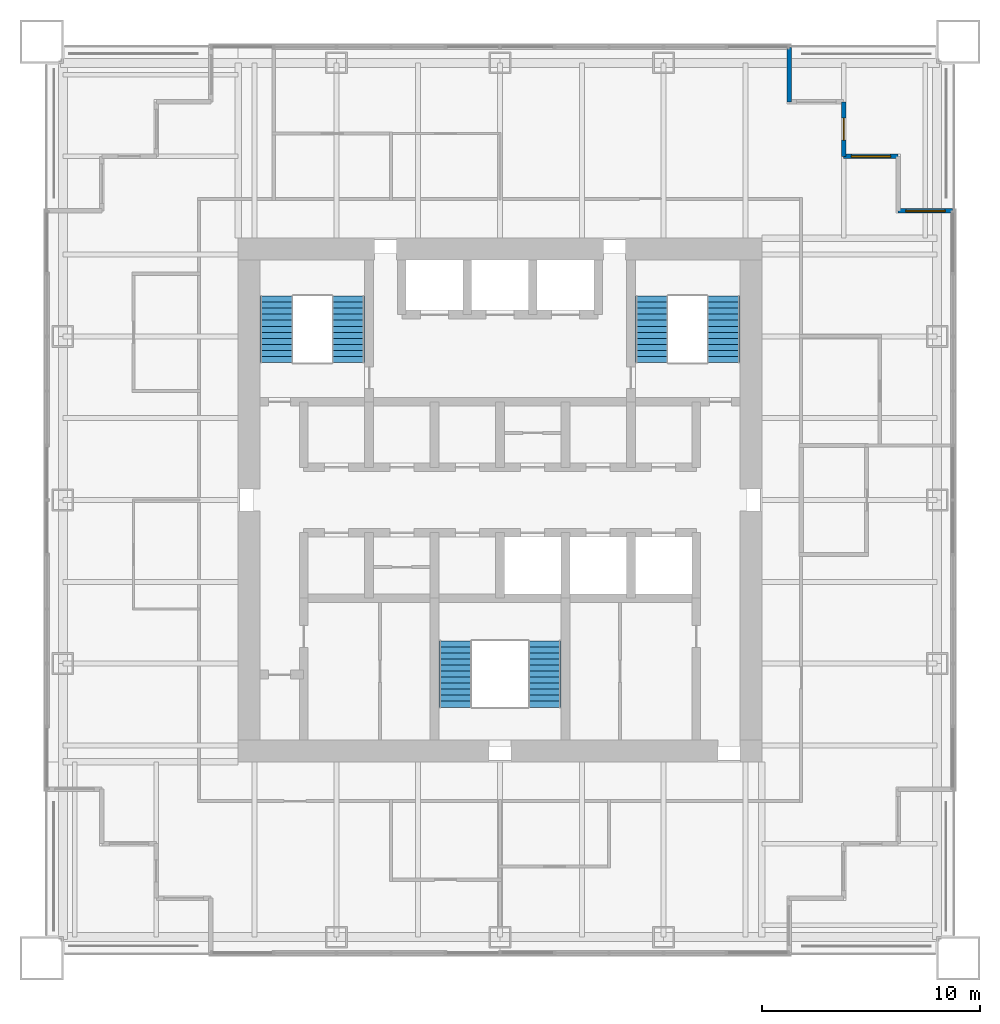
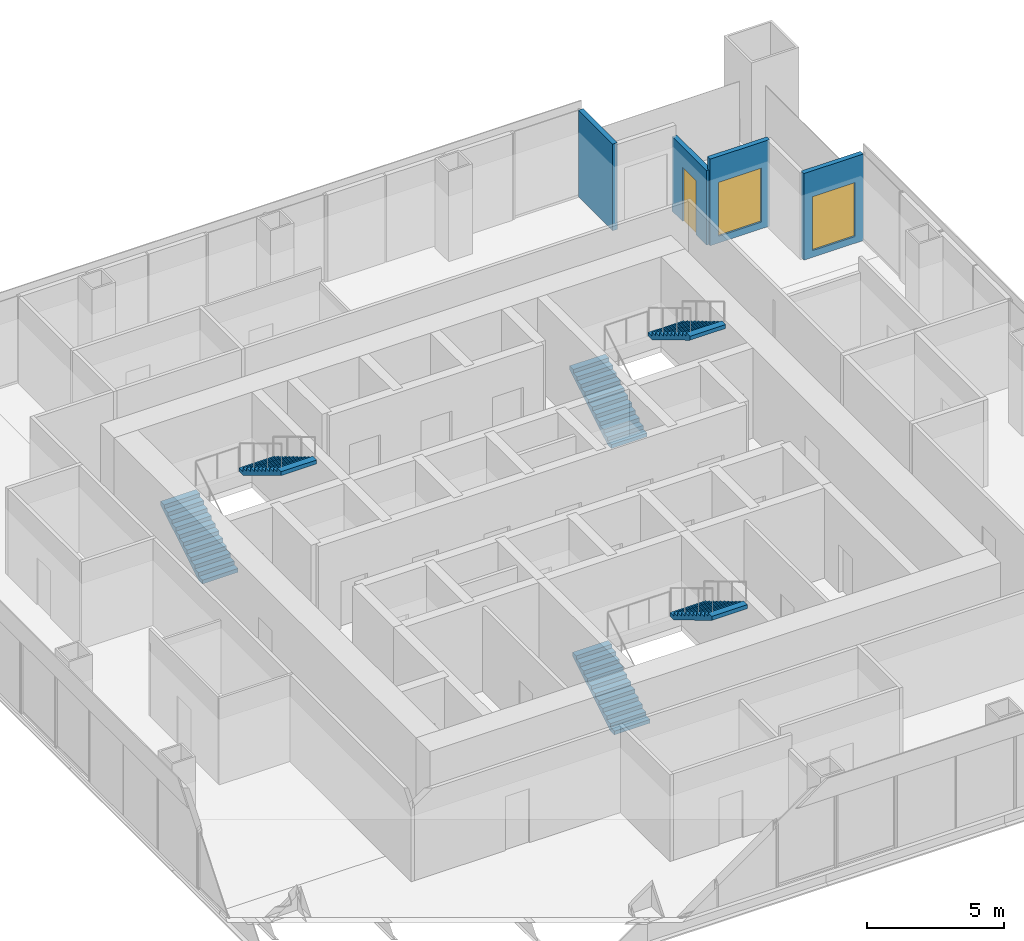
# One storey, part 12 of 14: 6 stair flights, 4 walls, 2 windows, 1 door, 3 openings, 3 elements without a shape of their own.
"""IFC4 building model written with IfcOpenShell, lengths in metres."""

from ifc_helpers import new_model, si_unit, direction, frame, frame_2d, origin, place, context, subcontext, project, spatial, polyline, rectangle, outline, extrude, material, layer, layer_set, type_object, element, fill, aggregate, save


model = new_model("IFC4")

# Units and contexts
model_context = context("Model", 3, precision=1e-05, world=origin(), true_north=direction((0.0, 1.0)))
body_context = subcontext(model_context, "Body", "Model", "MODEL_VIEW")
ifc_project = project(units=[si_unit("LENGTHUNIT", "METRE"), si_unit("AREAUNIT", "SQUARE_METRE"), si_unit("VOLUMEUNIT", "CUBIC_METRE"), si_unit("PLANEANGLEUNIT", "RADIAN"), si_unit("MASSUNIT", "GRAM", prefix="KILO")], contexts=[model_context])

# Site, building, storey
site_placement = place(None, origin())
site = spatial("IfcSite", under=ifc_project, at=site_placement, CompositionType="ELEMENT")
building_placement = place(site_placement, origin())
building = spatial("IfcBuilding", under=site, at=building_placement, Name="Tarangal Relay Tower", CompositionType="ELEMENT")
storey_placement = place(building_placement, frame((0.0, 0.0, 271.89990234375)))
storey = spatial("IfcBuildingStorey", under=building, at=storey_placement, Name="L59", CompositionType="ELEMENT", Elevation=271.89990234375)

# Wall
ifc_material_1 = material(Name="Black metal clad insulated wall", Category="steel")
ifc_layer = layer(ifc_material_1, 0.199951171875)
ifc_layer_set = layer_set([ifc_layer], Name="Corner wall metal clad 200")
wall_type = type_object("IfcWallType", Name="Corner wall metal clad 200", PredefinedType="SOLIDWALL", material=ifc_layer_set)
wall_1_placement = place(storey_placement, frame((13.25, 20.75, 0.0), z_axis=(0.0, 0.0, 1.0), x_axis=(0.0, -1.0, 0.0)))
element("IfcWall", 1, at=wall_1_placement, inside=storey, type_object=wall_type, Name="Facade wall N facade L59", PredefinedType="SOLIDWALL", context=body_context, shape_type="SweptSolid", body=[
    extrude(rectangle(XDim=2.5, YDim=0.199951171875, at=frame_2d((1.25, 0.0))), origin(), (0.0, 0.0, 1.0), 3.85009765625),
])

# Wall, opening, door
wall_2_placement = place(storey_placement, frame((15.75, 18.25, 0.0), z_axis=(0.0, 0.0, 1.0), x_axis=(0.0, -1.0, 0.0)))
wall_2 = element("IfcWall", 2, at=wall_2_placement, inside=storey, type_object=wall_type, Name="Facade wall N facade L59", PredefinedType="SOLIDWALL", context=body_context, shape_type="SweptSolid", body=[
    extrude(rectangle(XDim=2.5, YDim=0.199951171875, at=frame_2d((1.25, 0.0))), origin(), (0.0, 0.0, 1.0), 3.316650390625),
])
opening_1_placement = place(wall_2_placement, frame((0.75, 0.0, 0.0)))
opening_1 = element("IfcOpeningElement", 3, at=opening_1_placement, cuts=wall_2, Name="Opening TD1", PredefinedType="OPENING", context=body_context, shape_type="SweptSolid", body=[
    extrude(rectangle(XDim=1.0, YDim=2.39990234375, at=frame_2d((0.5, 1.199951171875))), frame((0.0, 0.10986328125, 0.0), z_axis=(0.0, -1.0, 0.0), x_axis=(1.0, 0.0, 0.0)), (0.0, 0.0, 1.0), 0.219970703125),
])
ifc_material_2 = material(Name="Aluminium glazed door", Category="aluminium")
door_type = type_object("IfcDoorType", Name="Terrace door 1000 x 2400", OperationType="SINGLE_SWING_RIGHT", PredefinedType="DOOR", material=ifc_material_2)
door_placement = place(opening_1_placement, origin())
door = element("IfcDoor", 4, at=door_placement, inside=storey, type_object=door_type, Name="Terrace door TD1 NE L59", OperationType="SINGLE_SWING_RIGHT", OverallHeight=2.39990234375, OverallWidth=1.0, PredefinedType="DOOR", context=body_context, shape_type="SweptSolid", body=[
    extrude(rectangle(XDim=1.0, YDim=2.39990234375, at=frame_2d((0.5, 1.199951171875))), frame((0.0, 0.02490234375, 0.0), z_axis=(0.0, -1.0, 0.0), x_axis=(1.0, 0.0, 0.0)), (0.0, 0.0, 1.0), 0.050048828125),
])
fill(opening_1, door)

# Wall, opening, window
wall_3_placement = place(storey_placement, frame((15.75, 15.75, 0.0), z_axis=(0.0, 0.0, 1.0), x_axis=(1.0, 0.0, 0.0)))
wall_3 = element("IfcWall", 5, at=wall_3_placement, inside=storey, type_object=wall_type, Name="Facade wall N facade L59", PredefinedType="SOLIDWALL", context=body_context, shape_type="SweptSolid", body=[
    extrude(rectangle(XDim=2.5, YDim=0.199951171875, at=frame_2d((1.25, 0.0))), origin(), (0.0, 0.0, 1.0), 3.85009765625),
])
opening_2_placement = place(wall_3_placement, frame((0.35009765625, 0.0, 0.300048828125)))
opening_2 = element("IfcOpeningElement", 6, at=opening_2_placement, cuts=wall_3, Name="Opening WN2", PredefinedType="OPENING", context=body_context, shape_type="SweptSolid", body=[
    extrude(rectangle(XDim=1.800048828125, YDim=2.39990234375, at=frame_2d((0.89990234375, 1.199951171875))), frame((0.0, 0.10986328125, 0.0), z_axis=(0.0, -1.0, 0.0), x_axis=(1.0, 0.0, 0.0)), (0.0, 0.0, 1.0), 0.219970703125),
])
ifc_material_3 = material(Name="Dark tinted double glazing in black aluminium frame", Category="aluminium")
window_type = type_object("IfcWindowType", Name="Corner window 1800 x 2400", PartitioningType="SINGLE_PANEL", PredefinedType="WINDOW", material=ifc_material_3)
window_1_placement = place(opening_2_placement, origin())
window_1 = element("IfcWindow", 7, at=window_1_placement, inside=storey, type_object=window_type, Name="Corner window WN2 N facade L59", OverallHeight=2.39990234375, OverallWidth=1.800048828125, PartitioningType="SINGLE_PANEL", PredefinedType="WINDOW", context=body_context, shape_type="SweptSolid", body=[
    extrude(rectangle(XDim=1.800048828125, YDim=2.39990234375, at=frame_2d((0.89990234375, 1.199951171875))), frame((0.0, 0.030029296875, 0.0), z_axis=(0.0, -1.0, 0.0), x_axis=(1.0, 0.0, 0.0)), (0.0, 0.0, 1.0), 0.06005859375),
])
fill(opening_2, window_1)

wall_4_placement = place(storey_placement, frame((18.25, 13.25, 0.0), z_axis=(0.0, 0.0, 1.0), x_axis=(1.0, 0.0, 0.0)))
wall_4 = element("IfcWall", 8, at=wall_4_placement, inside=storey, type_object=wall_type, Name="Facade wall N facade L59", PredefinedType="SOLIDWALL", context=body_context, shape_type="SweptSolid", body=[
    extrude(rectangle(XDim=2.5, YDim=0.199951171875, at=frame_2d((1.25, 0.0))), origin(), (0.0, 0.0, 1.0), 3.85009765625),
])
opening_3_placement = place(wall_4_placement, frame((0.35009765625, 0.0, 0.300048828125)))
opening_3 = element("IfcOpeningElement", 9, at=opening_3_placement, cuts=wall_4, Name="Opening WN2", PredefinedType="OPENING", context=body_context, shape_type="SweptSolid", body=[
    extrude(rectangle(XDim=1.800048828125, YDim=2.39990234375, at=frame_2d((0.89990234375, 1.199951171875))), frame((0.0, 0.10986328125, 0.0), z_axis=(0.0, -1.0, 0.0), x_axis=(1.0, 0.0, 0.0)), (0.0, 0.0, 1.0), 0.219970703125),
])
window_2_placement = place(opening_3_placement, origin())
window_2 = element("IfcWindow", 10, at=window_2_placement, inside=storey, type_object=window_type, Name="Corner window WN2 N facade L59", OverallHeight=2.39990234375, OverallWidth=1.800048828125, PartitioningType="SINGLE_PANEL", PredefinedType="WINDOW", context=body_context, shape_type="SweptSolid", body=[
    extrude(rectangle(XDim=1.800048828125, YDim=2.39990234375, at=frame_2d((0.89990234375, 1.199951171875))), frame((0.0, 0.030029296875, 0.0), z_axis=(0.0, -1.0, 0.0), x_axis=(1.0, 0.0, 0.0)), (0.0, 0.0, 1.0), 0.06005859375),
])
fill(opening_3, window_2)

# Stair, stair flights
ifc_material_4 = material(Name="Steel ASTM A992 stair flight", Category="steel")
stair_type = type_object("IfcStairType", Name="Core stair 1500", PredefinedType="HALF_TURN_STAIR", material=ifc_material_4)
stair_1_placement = place(storey_placement, origin())
stair_1 = element("IfcStair", 11, at=stair_1_placement, inside=storey, type_object=stair_type, Name="Stair ST-A L59", PredefinedType="HALF_TURN_STAIR")
stair_flight_type = type_object("IfcStairFlightType", Name="Steel stair flight 1500, 12 risers 167 x 277", PredefinedType="STRAIGHT", material=ifc_material_4)
stair_flight_1_placement = place(storey_placement, frame((-10.25, 6.300048828125, 0.0), z_axis=(0.0, 0.0, 1.0), x_axis=(0.0, 1.0, 0.0)))
stair_flight_1 = element("IfcStairFlight", 12, at=stair_flight_1_placement, type_object=stair_flight_type, Name="ST-A flight 1", NumberOfRisers=12, NumberOfTreads=11, PredefinedType="STRAIGHT", RiserHeight=0.166666667, TreadLength=0.277, context=body_context, shape_type="SweptSolid", body=[
    extrude(outline(polyline([(0.0, 0.0), (0.0, 0.166748046875), (0.277099609375, 0.166748046875), (0.277099609375, 0.333251953125), (0.553955078125, 0.333251953125), (0.553955078125, 0.5), (0.8310546875, 0.5), (0.8310546875, 0.666748046875), (1.10791015625, 0.666748046875), (1.10791015625, 0.833251953125), (1.385009765625, 0.833251953125), (1.385009765625, 1.0), (1.662109375, 1.0), (1.662109375, 1.166748046875), (1.93896484375, 1.166748046875), (1.93896484375, 1.333251953125), (2.216064453125, 1.333251953125), (2.216064453125, 1.5), (2.492919921875, 1.5), (2.492919921875, 1.666748046875), (2.77001953125, 1.666748046875), (2.77001953125, 1.833251953125), (3.047119140625, 1.833251953125), (3.047119140625, 2.0), (3.047119140625, 1.658447265625), (0.290771484375, 0.0), (0.0, 0.0)])), frame((0.0, 0.75, 0.0), z_axis=(0.0, -1.0, 0.0), x_axis=(1.0, 0.0, 0.0)), (0.0, 0.0, 1.0), 1.5),
])
stair_flight_2_placement = place(storey_placement, frame((-6.949951171875, 9.346923828125, 2.0), z_axis=(0.0, 0.0, 1.0), x_axis=(0.0, -1.0, 0.0)))
stair_flight_2 = element("IfcStairFlight", 13, at=stair_flight_2_placement, type_object=stair_flight_type, Name="ST-A flight 2", NumberOfRisers=12, NumberOfTreads=11, PredefinedType="STRAIGHT", RiserHeight=0.166666667, TreadLength=0.277, context=body_context, shape_type="SweptSolid", body=[
    extrude(outline(polyline([(0.0, 0.0), (0.0, 0.166748046875), (0.277099609375, 0.166748046875), (0.277099609375, 0.333251953125), (0.553955078125, 0.333251953125), (0.553955078125, 0.5), (0.8310546875, 0.5), (0.8310546875, 0.666748046875), (1.10791015625, 0.666748046875), (1.10791015625, 0.833251953125), (1.385009765625, 0.833251953125), (1.385009765625, 1.0), (1.662109375, 1.0), (1.662109375, 1.166748046875), (1.93896484375, 1.166748046875), (1.93896484375, 1.333251953125), (2.216064453125, 1.333251953125), (2.216064453125, 1.5), (2.492919921875, 1.5), (2.492919921875, 1.666748046875), (2.77001953125, 1.666748046875), (2.77001953125, 1.833251953125), (3.047119140625, 1.833251953125), (3.047119140625, 2.0), (3.047119140625, 1.658447265625), (0.290771484375, 0.0), (0.0, 0.0)])), frame((0.0, 0.75, 0.0), z_axis=(0.0, -1.0, 0.0), x_axis=(1.0, 0.0, 0.0)), (0.0, 0.0, 1.0), 1.5),
])
aggregate(stair_1, [stair_flight_1, stair_flight_2])

stair_2_placement = place(storey_placement, origin())
stair_2 = element("IfcStair", 14, at=stair_2_placement, inside=storey, type_object=stair_type, Name="Stair ST-B L59", PredefinedType="HALF_TURN_STAIR")
stair_flight_3_placement = place(storey_placement, frame((6.949951171875, 6.300048828125, 0.0), z_axis=(0.0, 0.0, 1.0), x_axis=(0.0, 1.0, 0.0)))
stair_flight_3 = element("IfcStairFlight", 15, at=stair_flight_3_placement, type_object=stair_flight_type, Name="ST-B flight 1", NumberOfRisers=12, NumberOfTreads=11, PredefinedType="STRAIGHT", RiserHeight=0.166666667, TreadLength=0.277, context=body_context, shape_type="SweptSolid", body=[
    extrude(outline(polyline([(0.0, 0.0), (0.0, 0.166748046875), (0.277099609375, 0.166748046875), (0.277099609375, 0.333251953125), (0.553955078125, 0.333251953125), (0.553955078125, 0.5), (0.8310546875, 0.5), (0.8310546875, 0.666748046875), (1.10791015625, 0.666748046875), (1.10791015625, 0.833251953125), (1.385009765625, 0.833251953125), (1.385009765625, 1.0), (1.662109375, 1.0), (1.662109375, 1.166748046875), (1.93896484375, 1.166748046875), (1.93896484375, 1.333251953125), (2.216064453125, 1.333251953125), (2.216064453125, 1.5), (2.492919921875, 1.5), (2.492919921875, 1.666748046875), (2.77001953125, 1.666748046875), (2.77001953125, 1.833251953125), (3.047119140625, 1.833251953125), (3.047119140625, 2.0), (3.047119140625, 1.658447265625), (0.290771484375, 0.0), (0.0, 0.0)])), frame((0.0, 0.75, 0.0), z_axis=(0.0, -1.0, 0.0), x_axis=(1.0, 0.0, 0.0)), (0.0, 0.0, 1.0), 1.5),
])
stair_flight_4_placement = place(storey_placement, frame((10.25, 9.346923828125, 2.0), z_axis=(0.0, 0.0, 1.0), x_axis=(0.0, -1.0, 0.0)))
stair_flight_4 = element("IfcStairFlight", 16, at=stair_flight_4_placement, type_object=stair_flight_type, Name="ST-B flight 2", NumberOfRisers=12, NumberOfTreads=11, PredefinedType="STRAIGHT", RiserHeight=0.166666667, TreadLength=0.277, context=body_context, shape_type="SweptSolid", body=[
    extrude(outline(polyline([(0.0, 0.0), (0.0, 0.166748046875), (0.277099609375, 0.166748046875), (0.277099609375, 0.333251953125), (0.553955078125, 0.333251953125), (0.553955078125, 0.5), (0.8310546875, 0.5), (0.8310546875, 0.666748046875), (1.10791015625, 0.666748046875), (1.10791015625, 0.833251953125), (1.385009765625, 0.833251953125), (1.385009765625, 1.0), (1.662109375, 1.0), (1.662109375, 1.166748046875), (1.93896484375, 1.166748046875), (1.93896484375, 1.333251953125), (2.216064453125, 1.333251953125), (2.216064453125, 1.5), (2.492919921875, 1.5), (2.492919921875, 1.666748046875), (2.77001953125, 1.666748046875), (2.77001953125, 1.833251953125), (3.047119140625, 1.833251953125), (3.047119140625, 2.0), (3.047119140625, 1.658447265625), (0.290771484375, 0.0), (0.0, 0.0)])), frame((0.0, 0.75, 0.0), z_axis=(0.0, -1.0, 0.0), x_axis=(1.0, 0.0, 0.0)), (0.0, 0.0, 1.0), 1.5),
])
aggregate(stair_2, [stair_flight_3, stair_flight_4])

stair_3_placement = place(storey_placement, origin())
stair_3 = element("IfcStair", 17, at=stair_3_placement, inside=storey, type_object=stair_type, Name="Stair ST-C L59", PredefinedType="HALF_TURN_STAIR")
stair_flight_5_placement = place(storey_placement, frame((-2.050048828125, -9.5, 0.0), z_axis=(0.0, 0.0, 1.0), x_axis=(0.0, 1.0, 0.0)))
stair_flight_5 = element("IfcStairFlight", 18, at=stair_flight_5_placement, type_object=stair_flight_type, Name="ST-C flight 1", NumberOfRisers=12, NumberOfTreads=11, PredefinedType="STRAIGHT", RiserHeight=0.166666667, TreadLength=0.277, context=body_context, shape_type="SweptSolid", body=[
    extrude(outline(polyline([(0.0, 0.0), (0.0, 0.166748046875), (0.277099609375, 0.166748046875), (0.277099609375, 0.333251953125), (0.553955078125, 0.333251953125), (0.553955078125, 0.5), (0.8310546875, 0.5), (0.8310546875, 0.666748046875), (1.10791015625, 0.666748046875), (1.10791015625, 0.833251953125), (1.385009765625, 0.833251953125), (1.385009765625, 1.0), (1.662109375, 1.0), (1.662109375, 1.166748046875), (1.93896484375, 1.166748046875), (1.93896484375, 1.333251953125), (2.216064453125, 1.333251953125), (2.216064453125, 1.5), (2.492919921875, 1.5), (2.492919921875, 1.666748046875), (2.77001953125, 1.666748046875), (2.77001953125, 1.833251953125), (3.047119140625, 1.833251953125), (3.047119140625, 2.0), (3.047119140625, 1.658447265625), (0.290771484375, 0.0), (0.0, 0.0)])), frame((0.0, 0.75, 0.0), z_axis=(0.0, -1.0, 0.0), x_axis=(1.0, 0.0, 0.0)), (0.0, 0.0, 1.0), 1.5),
])
stair_flight_6_placement = place(storey_placement, frame((2.050048828125, -6.452880859375, 2.0), z_axis=(0.0, 0.0, 1.0), x_axis=(0.0, -1.0, 0.0)))
stair_flight_6 = element("IfcStairFlight", 19, at=stair_flight_6_placement, type_object=stair_flight_type, Name="ST-C flight 2", NumberOfRisers=12, NumberOfTreads=11, PredefinedType="STRAIGHT", RiserHeight=0.166666667, TreadLength=0.277, context=body_context, shape_type="SweptSolid", body=[
    extrude(outline(polyline([(0.0, 0.0), (0.0, 0.166748046875), (0.277099609375, 0.166748046875), (0.277099609375, 0.333251953125), (0.553955078125, 0.333251953125), (0.553955078125, 0.5), (0.8310546875, 0.5), (0.8310546875, 0.666748046875), (1.10791015625, 0.666748046875), (1.10791015625, 0.833251953125), (1.385009765625, 0.833251953125), (1.385009765625, 1.0), (1.662109375, 1.0), (1.662109375, 1.166748046875), (1.93896484375, 1.166748046875), (1.93896484375, 1.333251953125), (2.216064453125, 1.333251953125), (2.216064453125, 1.5), (2.492919921875, 1.5), (2.492919921875, 1.666748046875), (2.77001953125, 1.666748046875), (2.77001953125, 1.833251953125), (3.047119140625, 1.833251953125), (3.047119140625, 2.0), (3.047119140625, 1.658447265625), (0.290771484375, 0.0), (0.0, 0.0)])), frame((0.0, 0.75, 0.0), z_axis=(0.0, -1.0, 0.0), x_axis=(1.0, 0.0, 0.0)), (0.0, 0.0, 1.0), 1.5),
])
aggregate(stair_3, [stair_flight_5, stair_flight_6])

save(model, "model.ifc")
